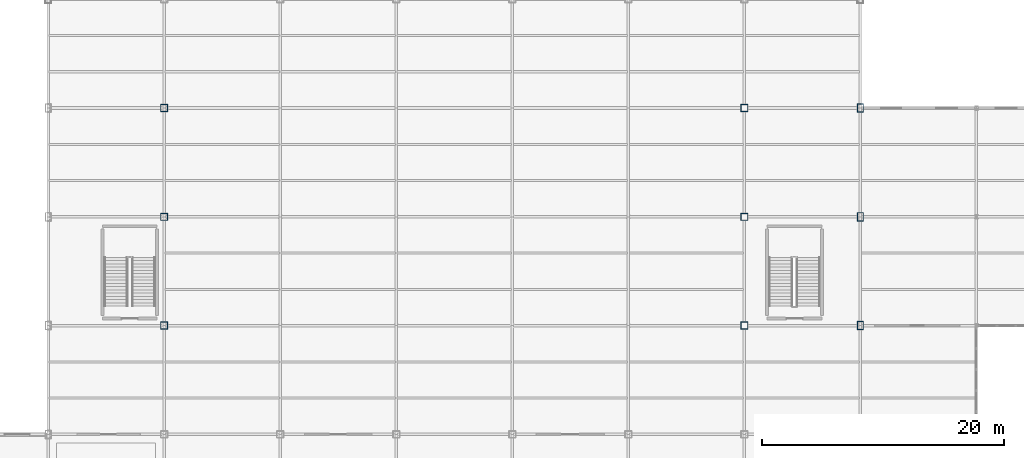
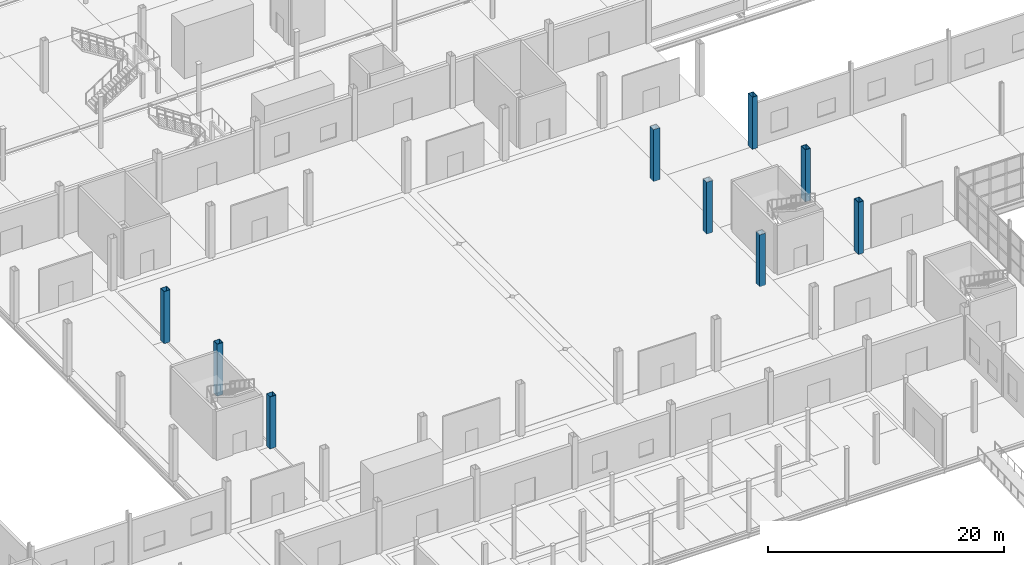
# One storey, part 7 of 85: 9 columns.
"""IFC4 building model written with IfcOpenShell, lengths in metres."""

from ifc_helpers import new_model, si_unit, direction, frame, origin, origin_2d, place, context, subcontext, project, spatial, hollow_rectangle, extrude, material, material_profile, profile_set, type_object, element, save


model = new_model("IFC4")

# Units and contexts
model_context = context("Model", 3, precision=1e-05, world=origin(), true_north=direction((0.0, 1.0)))
body_context = subcontext(model_context, "Body", "Model", "MODEL_VIEW")
ifc_project = project(units=[si_unit("LENGTHUNIT", "METRE"), si_unit("AREAUNIT", "SQUARE_METRE"), si_unit("VOLUMEUNIT", "CUBIC_METRE"), si_unit("PLANEANGLEUNIT", "RADIAN"), si_unit("MASSUNIT", "GRAM", prefix="KILO")], contexts=[model_context])

# Site, building, storey
site_placement = place(None, origin())
site = spatial("IfcSite", under=ifc_project, at=site_placement, CompositionType="ELEMENT")
building_placement = place(site_placement, origin())
building = spatial("IfcBuilding", under=site, at=building_placement, Name="Zarnetskaya Central Station", CompositionType="ELEMENT")
storey_placement = place(building_placement, origin())
storey = spatial("IfcBuildingStorey", under=building, at=storey_placement, Name="L00", CompositionType="ELEMENT", Elevation=0.0)

# Columns
ifc_material = material(Name="Steel S355", Category="steel")
ifc_material_profile_1 = material_profile(ifc_material, hollow_rectangle(XDim=0.5, YDim=0.699951171875, WallThickness=0.031982421875, at=origin_2d()), Name="BOX 700x500x32")
ifc_profile_set_1 = profile_set([ifc_material_profile_1], Name="Steel S355")
column_type_1 = type_object("IfcColumnType", Name="COL-V2-HALL", PredefinedType="COLUMN", material=ifc_profile_set_1)
for number, where, z_axis, x_axis, name in (
    (1, (124.800048828125, 31.199951171875, 0.0), (0.0, 0.0, 1.0), (1.0, 0.0, 0.0), "Column P5 L00"),
    (2, (124.800048828125, 40.199951171875, 0.0), (0.0, 0.0, 1.0), (1.0, 0.0, 0.0), "Column P6 L00"),
    (3, (124.800048828125, 49.199951171875, 0.0), (0.0, 0.0, 1.0), (1.0, 0.0, 0.0), "Column P7 L00"),
):
    element("IfcColumn", number, at=place(storey_placement, frame(where, z_axis=z_axis, x_axis=x_axis)), inside=storey, type_object=column_type_1, Name=name, PredefinedType="COLUMN", context=body_context, shape_type="SweptSolid", body=[
        extrude(hollow_rectangle(XDim=0.5, YDim=0.699951171875, WallThickness=0.031982421875, at=origin_2d()), origin(), (0.0, 0.0, 1.0), 5.39990234375),
    ])
ifc_material_profile_2 = material_profile(ifc_material, hollow_rectangle(XDim=0.60009765625, YDim=0.60009765625, WallThickness=0.030029296875, at=origin_2d()), Name="BOX 600x600x30")
ifc_profile_set_2 = profile_set([ifc_material_profile_2], Name="Steel S355")
column_type_2 = type_object("IfcColumnType", Name="COL-V2-INT", PredefinedType="COLUMN", material=ifc_profile_set_2)
for number, where, z_axis, x_axis, name in (
    (4, (67.199951171875, 31.199951171875, 0.0), (0.0, 0.0, 1.0), (1.0, 0.0, 0.0), "Column H5 L00"),
    (5, (67.199951171875, 40.199951171875, 0.0), (0.0, 0.0, 1.0), (1.0, 0.0, 0.0), "Column H6 L00"),
    (6, (67.199951171875, 49.199951171875, 0.0), (0.0, 0.0, 1.0), (1.0, 0.0, 0.0), "Column H7 L00"),
):
    element("IfcColumn", number, at=place(storey_placement, frame(where, z_axis=z_axis, x_axis=x_axis)), inside=storey, type_object=column_type_2, Name=name, PredefinedType="COLUMN", context=body_context, shape_type="SweptSolid", body=[
        extrude(hollow_rectangle(XDim=0.60009765625, YDim=0.60009765625, WallThickness=0.030029296875, at=origin_2d()), origin(), (0.0, 0.0, 1.0), 5.39990234375),
    ])
for number, where, z_axis, x_axis, name in (
    (7, (115.199951171875, 31.199951171875, 0.0), (0.0, 0.0, 1.0), (1.0, 0.0, 0.0), "Column N5 L00"),
    (8, (115.199951171875, 40.199951171875, 0.0), (0.0, 0.0, 1.0), (1.0, 0.0, 0.0), "Column N6 L00"),
    (9, (115.199951171875, 49.199951171875, 0.0), (0.0, 0.0, 1.0), (1.0, 0.0, 0.0), "Column N7 L00"),
):
    element("IfcColumn", number, at=place(storey_placement, frame(where, z_axis=z_axis, x_axis=x_axis)), inside=storey, type_object=column_type_2, Name=name, PredefinedType="COLUMN", context=body_context, shape_type="SweptSolid", body=[
        extrude(hollow_rectangle(XDim=0.60009765625, YDim=0.60009765625, WallThickness=0.030029296875, at=origin_2d()), origin(), (0.0, 0.0, 1.0), 5.387939453125),
    ])

save(model, "model.ifc")
